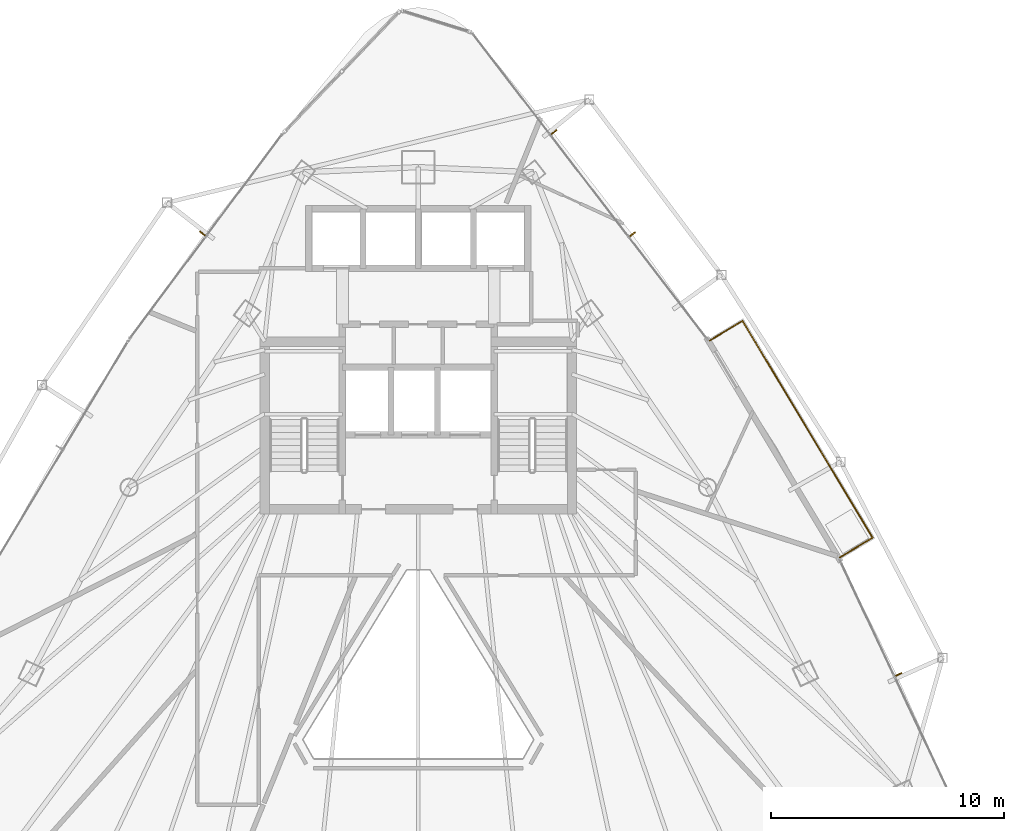
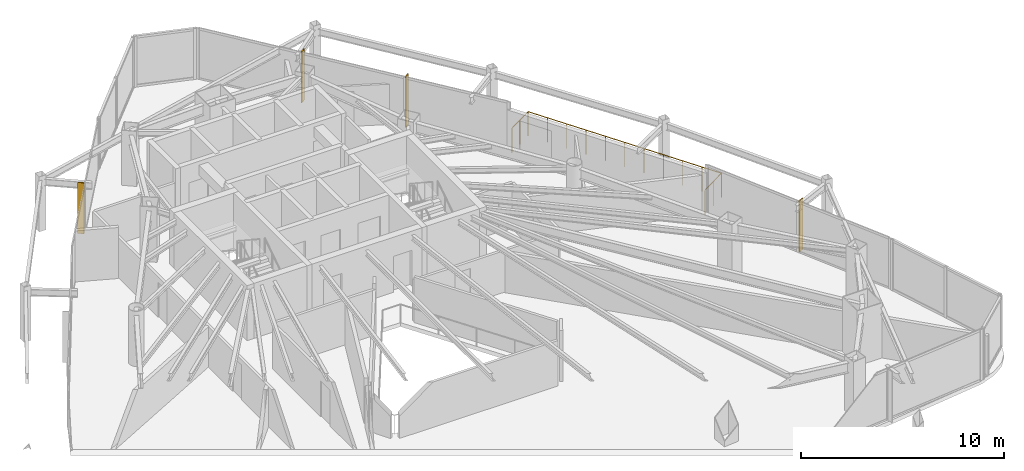
# One storey, part 31 of 31: 4 shading devices, 1 railing.
"""IFC4 building model written with IfcOpenShell, lengths in metres."""

from ifc_helpers import new_model, si_unit, direction, frame, origin, origin_2d, place, context, subcontext, project, spatial, rectangle, circle, extrude, material, layer, layer_set, type_object, element, save


model = new_model("IFC4")

# Units and contexts
model_context = context("Model", 3, precision=1e-05, world=origin(), true_north=direction((0.0, 1.0)))
body_context = subcontext(model_context, "Body", "Model", "MODEL_VIEW")
ifc_project = project(units=[si_unit("LENGTHUNIT", "METRE"), si_unit("AREAUNIT", "SQUARE_METRE"), si_unit("VOLUMEUNIT", "CUBIC_METRE"), si_unit("PLANEANGLEUNIT", "RADIAN"), si_unit("MASSUNIT", "GRAM", prefix="KILO")], contexts=[model_context])

# Site, building, storey
site_placement = place(None, origin())
site = spatial("IfcSite", under=ifc_project, at=site_placement, CompositionType="ELEMENT")
building_placement = place(site_placement, origin())
building = spatial("IfcBuilding", under=site, at=building_placement, Name="Orvanel Arch Residences", CompositionType="ELEMENT")
storey_placement = place(building_placement, frame((0.0, 0.0, 153.949951171875)))
storey = spatial("IfcBuildingStorey", under=building, at=storey_placement, Name="L43", CompositionType="ELEMENT", Elevation=153.949951171875)

# Shading devices
ifc_material = material(Name="Bronze-anodised aluminium AA6063-T6", Category="aluminium")
ifc_layer = layer(ifc_material, 0.054931640625)
ifc_layer_set = layer_set([ifc_layer], Name="Bronze-anodised aluminium AA6063-T6")
shading_device_type = type_object("IfcShadingDeviceType", Name="FIN-BRZ-320", PredefinedType="USERDEFINED", material=ifc_layer_set)
for number, where, z_axis, x_axis, name in (
    (1, (23.73095703125, 38.5390625, 0.0), (0.0, 0.0, 1.0), (-0.801775644244, 0.597625146976, 0.0), "L43 Anodised Bronze Mullion FIN 01"),
    (2, (53.633056640625, 19.593994140625, 0.0), (0.0, 0.0, 1.0), (0.904827052466, 0.425779291565, 0.0), "L43 Anodised Bronze Mullion FIN 01"),
    (3, (42.197998046875, 38.507080078125, 0.0), (0.0, 0.0, 1.0), (0.793353340291, 0.608761429009, 0.0), "L43 Anodised Bronze Mullion FIN 01"),
    (4, (38.826904296875, 42.89794921875, 0.0), (0.0, 0.0, 1.0), (0.793353340291, 0.608761429009, 0.0), "L43 Anodised Bronze Mullion FIN 02"),
):
    element("IfcShadingDevice", number, at=place(storey_placement, frame(where, z_axis=z_axis, x_axis=x_axis)), inside=storey, type_object=shading_device_type, Name=name, ObjectType="FIN", PredefinedType="USERDEFINED", context=body_context, shape_type="SweptSolid", body=[
        extrude(rectangle(XDim=0.320068359375, YDim=0.054931640625, at=origin_2d()), origin(), (0.0, 0.0, 1.0), 3.06005859375),
    ])

# Railing
railing_type = type_object("IfcRailingType", Name="RL-BAL-1480", PredefinedType="BALUSTRADE", material=ifc_material)
railing_placement = place(storey_placement, frame((51.114990234375, 24.6279296875, 0.0)))
element("IfcRailing", 5, at=railing_placement, inside=storey, type_object=railing_type, Name="L43 Balcony Perimeter Guardrail Face 3", PredefinedType="BALUSTRADE", context=body_context, shape_type="SweptSolid", body=[
    extrude(circle(Radius=0.02392578125, at=origin_2d()), frame((0.001220703125, 0.000732421875, 1.4560546875), z_axis=(0.857545439568, 0.514408222208, 0.0), x_axis=(-0.514408222208, 0.857545439568, 0.0)), (0.0, 0.0, 1.0), 1.6376953125),
    extrude(circle(Radius=0.02392578125, at=origin_2d()), frame((1.40625, 0.84521484375, 1.4560546875), z_axis=(-0.514403245511, 0.857548424876, 0.0), x_axis=(-0.857548424876, -0.514403245511, 0.0)), (0.0, 0.0, 1.0), 10.864013671875),
    extrude(circle(Radius=0.02392578125, at=origin_2d()), frame((-4.184326171875, 10.162353515625, 1.4560546875), z_axis=(-0.857387817543, -0.514670895164, 0.0), x_axis=(0.514670895164, -0.857387817543, 0.0)), (0.0, 0.0, 1.0), 1.636962890625),
    extrude(circle(Radius=0.02099609375, at=origin_2d()), origin(), (0.0, 0.0, 1.0), 1.429931640625),
    extrude(circle(Radius=0.02099609375, at=origin_2d()), frame((0.70361328125, 0.421875, 0.0)), (0.0, 0.0, 1.0), 1.429931640625),
    extrude(circle(Radius=0.02099609375, at=origin_2d()), frame((1.406982421875, 0.843994140625, 0.0)), (0.0, 0.0, 1.0), 1.429931640625),
    extrude(circle(Radius=0.02099609375, at=origin_2d()), frame((0.847900390625, 1.77587890625, 0.0)), (0.0, 0.0, 1.0), 1.429931640625),
    extrude(circle(Radius=0.02099609375, at=origin_2d()), frame((0.2890625, 2.707763671875, 0.0)), (0.0, 0.0, 1.0), 1.429931640625),
    extrude(circle(Radius=0.02099609375, at=origin_2d()), frame((-0.27001953125, 3.6396484375, 0.0)), (0.0, 0.0, 1.0), 1.429931640625),
    extrude(circle(Radius=0.02099609375, at=origin_2d()), frame((-0.8291015625, 4.571533203125, 0.0)), (0.0, 0.0, 1.0), 1.429931640625),
    extrude(circle(Radius=0.02099609375, at=origin_2d()), frame((-1.38818359375, 5.50341796875, 0.0)), (0.0, 0.0, 1.0), 1.429931640625),
    extrude(circle(Radius=0.02099609375, at=origin_2d()), frame((-1.947021484375, 6.435546875, 0.0)), (0.0, 0.0, 1.0), 1.429931640625),
    extrude(circle(Radius=0.02099609375, at=origin_2d()), frame((-2.506103515625, 7.367431640625, 0.0)), (0.0, 0.0, 1.0), 1.429931640625),
    extrude(circle(Radius=0.02099609375, at=origin_2d()), frame((-3.065185546875, 8.29931640625, 0.0)), (0.0, 0.0, 1.0), 1.429931640625),
    extrude(circle(Radius=0.02099609375, at=origin_2d()), frame((-3.6240234375, 9.231201171875, 0.0)), (0.0, 0.0, 1.0), 1.429931640625),
    extrude(circle(Radius=0.02099609375, at=origin_2d()), frame((-4.18310546875, 10.1630859375, 0.0)), (0.0, 0.0, 1.0), 1.429931640625),
    extrude(circle(Radius=0.02099609375, at=origin_2d()), frame((-4.88623046875, 9.7412109375, 0.0)), (0.0, 0.0, 1.0), 1.429931640625),
    extrude(circle(Radius=0.02099609375, at=origin_2d()), frame((-5.589111328125, 9.319091796875, 0.0)), (0.0, 0.0, 1.0), 1.429931640625),
])

save(model, "model.ifc")
